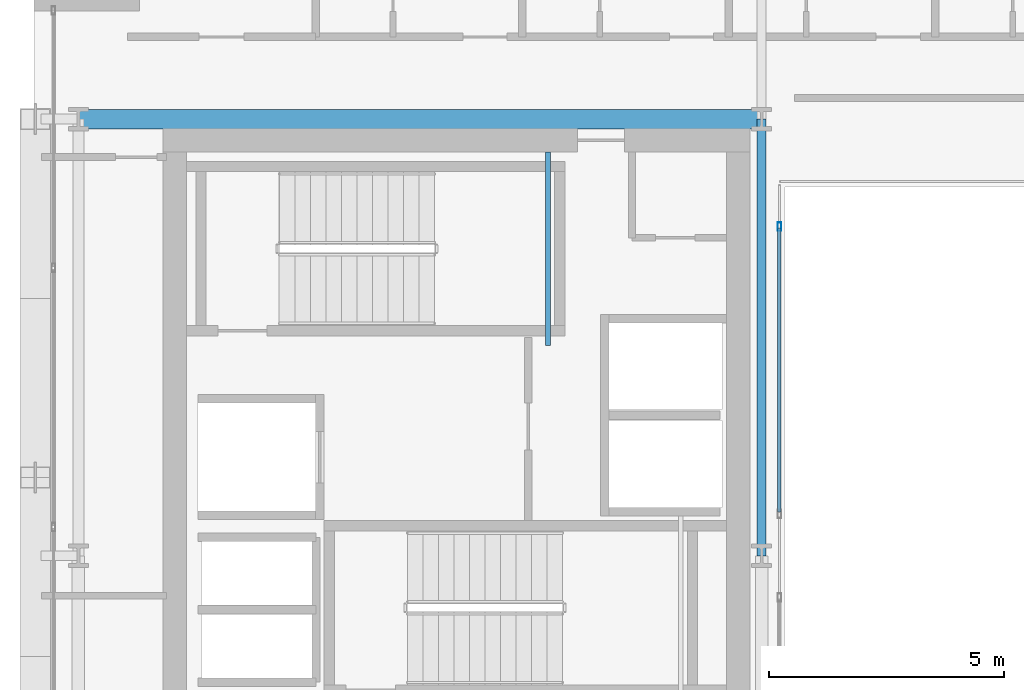
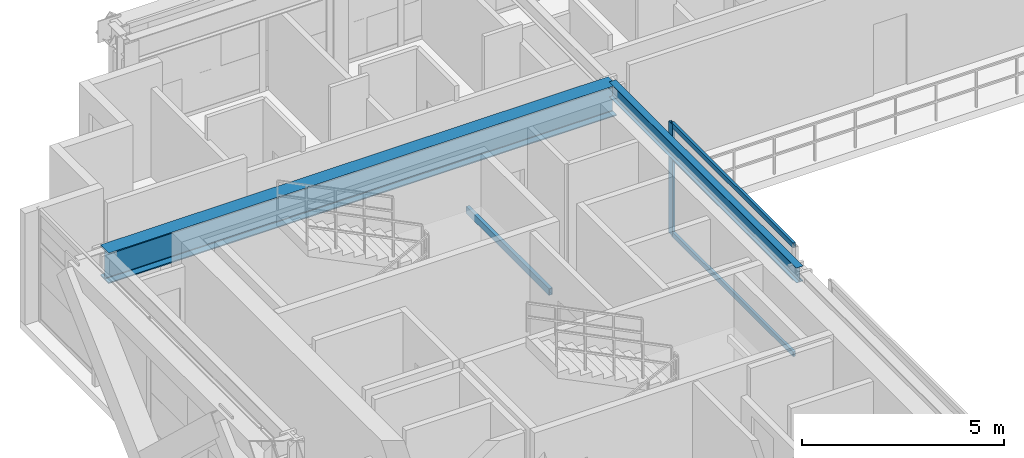
# One storey, part 11 of 38: 4 members, 3 beams, 1 element without a shape of its own.
"""IFC4 building model written with IfcOpenShell, lengths in metres."""

from ifc_helpers import new_model, si_unit, direction, frame, origin, origin_2d, place, context, subcontext, project, spatial, hollow_rectangle, i_section, extrude, source, transform, mapped, material, layer, layer_set, material_profile, profile_set, type_object, element, aggregate, save


model = new_model("IFC4")

# Units and contexts
model_context = context("Model", 3, precision=1e-05, world=origin(), true_north=direction((0.0, 1.0)))
body_context = subcontext(model_context, "Body", "Model", "MODEL_VIEW")
ifc_project = project(units=[si_unit("LENGTHUNIT", "METRE"), si_unit("AREAUNIT", "SQUARE_METRE"), si_unit("VOLUMEUNIT", "CUBIC_METRE"), si_unit("PLANEANGLEUNIT", "RADIAN"), si_unit("MASSUNIT", "GRAM", prefix="KILO")], contexts=[model_context])

# Site, building, storey
site_placement = place(None, origin())
site = spatial("IfcSite", under=ifc_project, at=site_placement, CompositionType="ELEMENT")
building_placement = place(site_placement, origin())
building = spatial("IfcBuilding", under=site, at=building_placement, Name="Ocotamira Hotel", CompositionType="ELEMENT")
storey_placement = place(building_placement, frame((0.0, 0.0, 170.39990234375)))
storey = spatial("IfcBuildingStorey", under=building, at=storey_placement, Name="L42", CompositionType="ELEMENT", Elevation=170.39990234375)

# Beams
ifc_material_1 = material(Name="Steel ASTM A500 Grade C", Category="steel")
ifc_material_profile_1 = material_profile(ifc_material_1, hollow_rectangle(XDim=0.10009765625, YDim=0.199951171875, WallThickness=0.008056640625, at=origin_2d()), Name="HSS200X100X8")
ifc_profile_set_1 = profile_set([ifc_material_profile_1], Name="Steel ASTM A500 Grade C")
beam_type_1 = type_object("IfcBeamType", Name="BM-STLDG-HSS200", PredefinedType="BEAM", material=ifc_profile_set_1)
shared_shape_1 = source(origin(), body_context, "Body", "SweptSolid", [
    extrude(hollow_rectangle(XDim=0.10009765625, YDim=0.199951171875, WallThickness=0.008056640625, at=origin_2d()), origin(), (0.0, 0.0, 1.0), 4.1201171875),
])
beam_1_placement = place(storey_placement, frame((18.949951171875, 32.6298828125, 1.5), z_axis=(0.0, 1.0, 0.0), x_axis=(-1.0, 0.0, 0.0)))
element("IfcBeam", 1, at=beam_1_placement, inside=storey, type_object=beam_type_1, Name="L42 Stair ST-2 Landing Bearer 1", PredefinedType="BEAM", context=body_context, shape_type="MappedRepresentation", body=[
    mapped(shared_shape_1, transform((0.0, 0.0, 0.0), scale=1.0)),
])
ifc_material_2 = material(Name="Steel ASTM A992 Grade 50", Category="steel")
ifc_material_profile_2 = material_profile(ifc_material_2, i_section(OverallWidth=0.41796875, OverallDepth=0.927001953125, WebThickness=0.019287109375, FlangeThickness=0.031982421875, FilletRadius=0.02392578125, at=origin_2d()), Name="W36X231")
ifc_profile_set_2 = profile_set([ifc_material_profile_2], Name="Steel ASTM A992 Grade 50")
beam_type_2 = type_object("IfcBeamType", Name="BM-GIRD-W36X231", PredefinedType="BEAM", material=ifc_profile_set_2)
shared_shape_2 = source(origin(), body_context, "Body", "SweptSolid", [
    extrude(i_section(OverallWidth=0.41796875, OverallDepth=0.927001953125, WebThickness=0.019287109375, FlangeThickness=0.031982421875, FilletRadius=0.02392578125, at=origin_2d()), origin(), (0.0, 0.0, 1.0), 14.550048828125),
])
beam_2_placement = place(storey_placement, frame((8.949951171875, 37.449951171875, 2.906494140625), z_axis=(1.0, 0.0, 0.0), x_axis=(0.0, 1.0, 0.0)))
element("IfcBeam", 2, at=beam_2_placement, inside=storey, type_object=beam_type_2, Name="L42 Girder Y37.45 X8.95-23.5", PredefinedType="BEAM", context=body_context, shape_type="MappedRepresentation", body=[
    mapped(shared_shape_2, transform((0.0, 0.0, 0.0), scale=1.0)),
])
ifc_material_profile_3 = material_profile(ifc_material_2, i_section(OverallWidth=0.18994140625, OverallDepth=0.45703125, WebThickness=0.009033203125, FlangeThickness=0.014404296875, FilletRadius=0.010009765625, at=origin_2d()), Name="W18X50")
ifc_profile_set_3 = profile_set([ifc_material_profile_3], Name="Steel ASTM A992 Grade 50")
beam_type_3 = type_object("IfcBeamType", Name="BM-SEC-W18X50", PredefinedType="JOIST", material=ifc_profile_set_3)
shared_shape_3 = source(origin(), body_context, "Body", "SweptSolid", [
    extrude(i_section(OverallWidth=0.18994140625, OverallDepth=0.45703125, WebThickness=0.009033203125, FlangeThickness=0.014404296875, FilletRadius=0.010009765625, at=origin_2d()), origin(), (0.0, 0.0, 1.0), 9.300048828125),
])
beam_3_placement = place(storey_placement, frame((23.5, 28.14990234375, 3.1416015625), z_axis=(0.0, 1.0, 0.0), x_axis=(-1.0, 0.0, 0.0)))
element("IfcBeam", 3, at=beam_3_placement, inside=storey, type_object=beam_type_3, Name="L42 Beam X23.5 Y28.15-37.45", PredefinedType="JOIST", context=body_context, shape_type="MappedRepresentation", body=[
    mapped(shared_shape_3, transform((0.0, 0.0, 0.0), scale=1.0)),
])

# Curtain wall, members
ifc_material_3 = material(Name="Anodised pale-metal aluminium and solar glass", Category="aluminium")
ifc_layer = layer(ifc_material_3, 0.159912109375)
ifc_layer_set = layer_set([ifc_layer], Name="Anodised pale-metal aluminium and solar glass")
curtain_wall_type = type_object("IfcCurtainWallType", Name="CW-SYS6-ATR", PredefinedType="NOTDEFINED", material=ifc_layer_set)
curtain_wall_placement = place(storey_placement, origin())
curtain_wall = element("IfcCurtainWall", 4, at=curtain_wall_placement, inside=storey, type_object=curtain_wall_type, Name="L42 Curtain Wall CW-6 CW-L42-ATRW2", PredefinedType="NOTDEFINED")
ifc_material_4 = material(Name="Anodised pale-metal aluminium 6063-T6", Category="aluminium")
ifc_material_profile_4 = material_profile(ifc_material_4, hollow_rectangle(XDim=0.080078125, YDim=0.179931640625, WallThickness=0.006103515625, at=origin_2d()), Name="HSS180X80X6")
ifc_profile_set_4 = profile_set([ifc_material_profile_4], Name="Anodised pale-metal aluminium 6063-T6")
member_type_1 = type_object("IfcMemberType", Name="CWM-180X75", PredefinedType="MULLION", material=ifc_profile_set_4)
shared_shape_4 = source(origin(), body_context, "Body", "SweptSolid", [
    extrude(hollow_rectangle(XDim=0.080078125, YDim=0.179931640625, WallThickness=0.006103515625, at=origin_2d()), origin(), (0.0, 0.0, 1.0), 3.3701171875),
])
member_1_placement = place(storey_placement, frame((23.8798828125, 35.159912109375, 0.0), z_axis=(0.0, 0.0, 1.0), x_axis=(-1.0, 0.0, 0.0)))
member_1 = element("IfcMember", 5, at=member_1_placement, type_object=member_type_1, Name="CW-6 mullion 2", PredefinedType="MULLION", context=body_context, shape_type="MappedRepresentation", body=[
    mapped(shared_shape_4, transform((0.0, 0.0, 0.0), scale=1.0)),
])
ifc_material_profile_5 = material_profile(ifc_material_4, hollow_rectangle(XDim=0.074951171875, YDim=0.14990234375, WallThickness=0.006103515625, at=origin_2d()), Name="HSS150X75X6")
ifc_profile_set_5 = profile_set([ifc_material_profile_5], Name="Anodised pale-metal aluminium 6063-T6")
member_type_2 = type_object("IfcMemberType", Name="CWT-150X75", PredefinedType="USERDEFINED", material=ifc_profile_set_5)
shared_shape_5 = source(origin(), body_context, "Body", "SweptSolid", [
    extrude(hollow_rectangle(XDim=0.074951171875, YDim=0.14990234375, WallThickness=0.006103515625, at=origin_2d()), origin(), (0.0, 0.0, 1.0), 6.0400390625),
])
member_2_placement = place(storey_placement, frame((23.8798828125, 29.080078125, 0.03759765625), z_axis=(0.0, 1.0, 0.0), x_axis=(-1.0, 0.0, 0.0)))
member_2 = element("IfcMember", 6, at=member_2_placement, type_object=member_type_2, Name="CW-6 transom 1.1", ObjectType="TRANSOM", PredefinedType="USERDEFINED", context=body_context, shape_type="MappedRepresentation", body=[
    mapped(shared_shape_5, transform((0.0, 0.0, 0.0), scale=1.0)),
])
member_3_placement = place(storey_placement, frame((23.8798828125, 29.080078125, 2.35009765625), z_axis=(0.0, 1.0, 0.0), x_axis=(-1.0, 0.0, 0.0)))
member_3 = element("IfcMember", 7, at=member_3_placement, type_object=member_type_2, Name="CW-6 transom 1.2", ObjectType="TRANSOM", PredefinedType="USERDEFINED", context=body_context, shape_type="MappedRepresentation", body=[
    mapped(shared_shape_5, transform((0.0, 0.0, 0.0), scale=1.0)),
])
member_4_placement = place(storey_placement, frame((23.8798828125, 29.080078125, 3.33251953125), z_axis=(0.0, 1.0, 0.0), x_axis=(-1.0, 0.0, 0.0)))
member_4 = element("IfcMember", 8, at=member_4_placement, type_object=member_type_2, Name="CW-6 transom 1.3", ObjectType="TRANSOM", PredefinedType="USERDEFINED", context=body_context, shape_type="MappedRepresentation", body=[
    mapped(shared_shape_5, transform((0.0, 0.0, 0.0), scale=1.0)),
])
aggregate(curtain_wall, [member_1, member_2, member_3, member_4])

save(model, "model.ifc")
